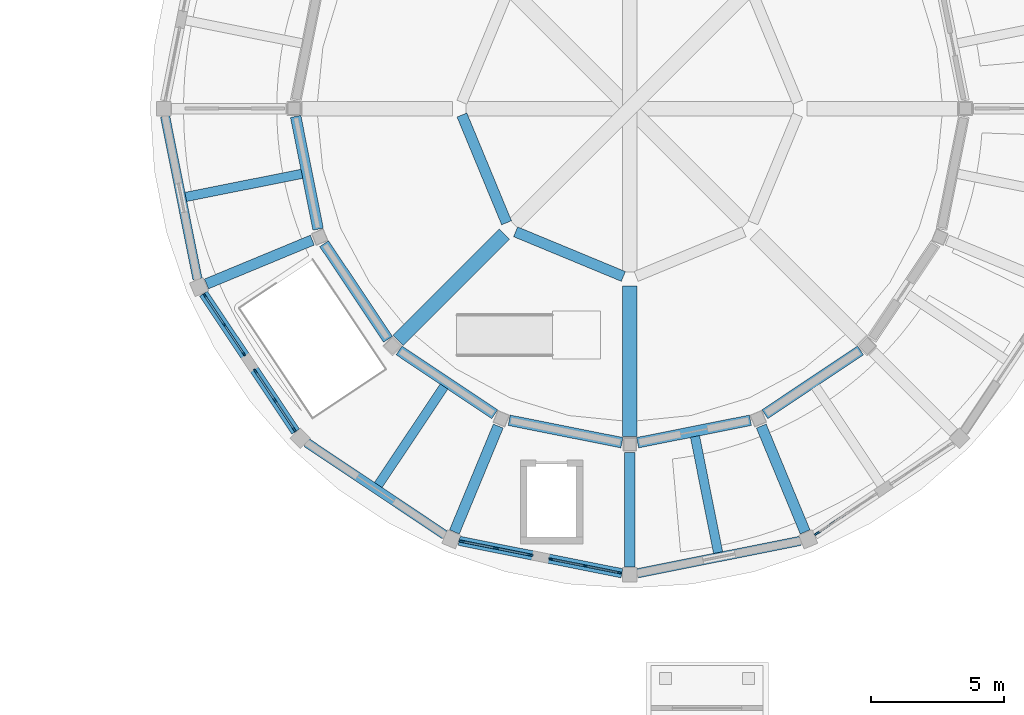
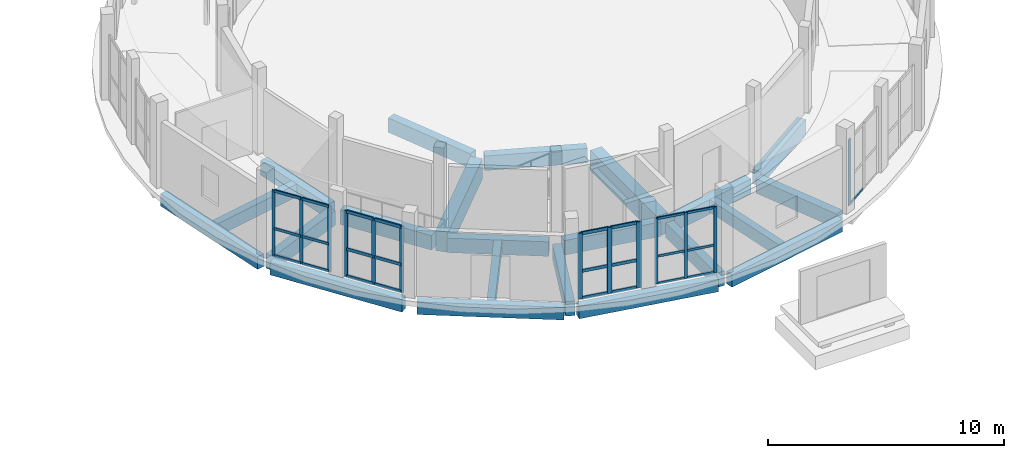
# One storey, part 45 of 92: 38 members, 22 beams, 5 elements without a shape of their own.
"""IFC4 building model written with IfcOpenShell, lengths in metres."""

import ifcopenshell
import ifcopenshell.guid

model = None  # the IFC model being written
_history = None  # IfcOwnerHistory: only IFC2X3 demands one
_inside = {}  # id of a spatial element -> (the spatial element, [elements in it])
_under = {}  # id of a project, library or spatial element -> (it, [spatial elements below it])
_declared = {}  # id of a project -> (the project, [libraries it declares])
_typed = {}  # id of a type object -> (the type object, [elements of that type])
_made_of = {}  # id of a material, layer set ... -> (it, [elements and type objects made of it])


def new_model(schema):
    """Start an empty IFC model of exactly this schema.

    Asked for "IFC4X3", IfcOpenShell would pick the latest addendum, in which some entities
    have other attributes; the version numbers below select the first issue.
    IFC2X3 requires an IfcOwnerHistory on every rooted entity: one is made here for all.
    """
    global model, _history
    if schema == "IFC4X3":
        model = ifcopenshell.file(schema_version=(4, 3, 0, 0))
    else:
        model = ifcopenshell.file(schema=schema)
    _inside.clear()
    _under.clear()
    _declared.clear()
    _typed.clear()
    _made_of.clear()
    _history = None
    if model.schema == "IFC2X3":
        org = make("IfcOrganization", Name="unknown")
        user = make(
            "IfcPersonAndOrganization",
            ThePerson=make("IfcPerson", FamilyName="unknown"),
            TheOrganization=org,
        )
        app = make(
            "IfcApplication",
            ApplicationDeveloper=org,
            Version="unknown",
            ApplicationFullName="unknown",
            ApplicationIdentifier="unknown",
        )
        _history = make(
            "IfcOwnerHistory",
            OwningUser=user,
            OwningApplication=app,
            ChangeAction="ADDED",
            CreationDate=0,
        )
    return model


def make(cls, **values):
    """One entity of the class cls with the attributes given. An attribute that is None is left unset."""
    return model.create_entity(
        cls, **{name: value for name, value in values.items() if value is not None}
    )


def rooted(cls, **values):
    """An entity with a GlobalId (a new one), such as an element, a storey or a relation."""
    return make(cls, GlobalId=ifcopenshell.guid.new(), OwnerHistory=_history, **values)


def si_unit(unit_type, name, prefix=None):
    """IfcSIUnit, for example si_unit("LENGTHUNIT", "METRE", prefix="MILLI")."""
    return make("IfcSIUnit", UnitType=unit_type, Prefix=prefix, Name=name)


def assignment(units):
    """IfcUnitAssignment: the units of a project."""
    return None if units is None else make("IfcUnitAssignment", Units=units)


def point(xyz):
    """IfcCartesianPoint."""
    return None if xyz is None else make("IfcCartesianPoint", Coordinates=xyz)


def direction(xyz):
    """IfcDirection."""
    return None if xyz is None else make("IfcDirection", DirectionRatios=xyz)


def frame(location, z_axis=None, x_axis=None):
    """IfcAxis2Placement3D, a coordinate frame: its origin and axes. An axis left out is left unset."""
    return make(
        "IfcAxis2Placement3D",
        Location=point(location),
        Axis=direction(z_axis),
        RefDirection=direction(x_axis),
    )


def frame_2d(location, x_axis=None):
    """IfcAxis2Placement2D, a coordinate frame in the plane: its origin and x axis."""
    return make(
        "IfcAxis2Placement2D", Location=point(location), RefDirection=direction(x_axis)
    )


def origin():
    """The frame at (0, 0, 0) with its axes left unset."""
    return frame((0.0, 0.0, 0.0))


def origin_2d():
    """The frame at (0, 0) in the plane with its x axis left unset."""
    return frame_2d((0.0, 0.0))


def place(relative_to, where):
    """IfcLocalPlacement: puts the frame where relative to a parent placement (None: the world)."""
    return make(
        "IfcLocalPlacement", PlacementRelTo=relative_to, RelativePlacement=where
    )


def context(
    kind, dimensions, precision=None, world=None, true_north=None, identifier=None
):
    """IfcGeometricRepresentationContext, for example the 3D "Model" context."""
    return make(
        "IfcGeometricRepresentationContext",
        ContextIdentifier=identifier,
        ContextType=kind,
        CoordinateSpaceDimension=dimensions,
        Precision=precision,
        WorldCoordinateSystem=world,
        TrueNorth=true_north,
    )


def subcontext(parent, identifier, kind, view, scale=None):
    """IfcGeometricRepresentationSubContext, for example "Body" below "Model"."""
    return make(
        "IfcGeometricRepresentationSubContext",
        ContextIdentifier=identifier,
        ContextType=kind,
        ParentContext=parent,
        TargetScale=scale,
        TargetView=view,
    )


def project(units=None, contexts=None):
    """IfcProject with its units and contexts."""
    return rooted(
        "IfcProject",
        Name="project",
        RepresentationContexts=contexts,
        UnitsInContext=assignment(units),
    )


def spatial(cls, under=None, at=None, **own):
    """A site, building, storey or space (cls), placed at a placement, below another one or the project."""
    s = rooted(cls, ObjectPlacement=at, **own)
    if under is not None:
        _under.setdefault(under.id(), (under, []))[1].append(s)
    return s


def profile(cls, at=None, kind="AREA", **sizes):
    """A parametric profile (cls). Its sizes go by their IFC names, for example OverallWidth=200.0."""
    return make(cls, ProfileType=kind, Position=at, **sizes)


def rectangle(**sizes):
    """IfcRectangleProfileDef."""
    return profile("IfcRectangleProfileDef", **sizes)


def extrude(swept, where, along, depth):
    """IfcExtrudedAreaSolid: the profile swept, set in the frame where, extruded along a direction by depth."""
    return make(
        "IfcExtrudedAreaSolid",
        SweptArea=swept,
        Position=where,
        ExtrudedDirection=direction(along),
        Depth=depth,
    )


def shape(context_of_items, identifier, shape_type, items):
    """IfcShapeRepresentation: the items that make up one representation, for example the "Body"."""
    return make(
        "IfcShapeRepresentation",
        ContextOfItems=context_of_items,
        RepresentationIdentifier=identifier,
        RepresentationType=shape_type,
        Items=items,
    )


def material(Name=None, Category=None):
    """IfcMaterial."""
    return make("IfcMaterial", Name=Name, Category=Category)


def layer(
    of_material, thickness, ventilated=None, Name=None, Category=None, Priority=None
):
    """IfcMaterialLayer: one layer of a wall or slab, of a material (None: an air gap)."""
    return make(
        "IfcMaterialLayer",
        Material=of_material,
        LayerThickness=thickness,
        IsVentilated=ventilated,
        Name=Name,
        Category=Category,
        Priority=Priority,
    )


def layer_set(layers, Name=None):
    """IfcMaterialLayerSet."""
    return make("IfcMaterialLayerSet", MaterialLayers=layers, LayerSetName=Name)


def material_profile(
    of_material, cross_section, Name=None, Category=None, Priority=None
):
    """IfcMaterialProfile: a cross section and its material."""
    return make(
        "IfcMaterialProfile",
        Name=Name,
        Material=of_material,
        Profile=cross_section,
        Priority=Priority,
        Category=Category,
    )


def profile_set(profiles, Name=None, composite=None):
    """IfcMaterialProfileSet."""
    return make(
        "IfcMaterialProfileSet",
        Name=Name,
        MaterialProfiles=profiles,
        CompositeProfile=composite,
    )


def made_of(thing, what):
    """Note that an element or type object is made of a material, layer set ...; save() writes the relation."""
    if what is not None:
        _made_of.setdefault(what.id(), (what, []))[1].append(thing)
    return thing


def type_object(cls, material=None, **own):
    """A type object (cls), such as IfcWallType, which elements share."""
    return made_of(rooted(cls, **own), material)


def element(
    cls,
    number,
    at=None,
    inside=None,
    cuts=None,
    type_object=None,
    material=None,
    context=None,
    identifier="Body",
    shape_type=None,
    held_by="IfcProductDefinitionShape",
    body=None,
    shapes=None,
    **own,
):
    """One element of the class cls, such as IfcWall. Its Tag is "e" and its number.

    at: its placement. inside: the storey or other place that contains it. cuts: it is an
    opening in that element (IfcRelVoidsElement). A single representation is given by context,
    identifier, shape_type and body (its items); several are given by shapes. held_by: the class
    of the entity that holds the representations. save() writes the other relations.
    """
    e = rooted(cls, Tag="e%d" % number, ObjectPlacement=at, **own)
    if body is not None:
        shapes = [shape(context, identifier, shape_type, body)]
    if shapes is not None:
        e.Representation = make(held_by, Representations=shapes)
    if inside is not None:
        _inside.setdefault(inside.id(), (inside, []))[1].append(e)
    if cuts is not None:
        rooted(
            "IfcRelVoidsElement", RelatingBuildingElement=cuts, RelatedOpeningElement=e
        )
    if type_object is not None:
        _typed.setdefault(type_object.id(), (type_object, []))[1].append(e)
    return made_of(e, material)


def aggregate(whole, parts):
    """IfcRelAggregates: a whole, such as a stair, and the parts it consists of."""
    return rooted("IfcRelAggregates", RelatingObject=whole, RelatedObjects=parts)


def save(model, path):
    """Write the relations noted so far, then the file.

    IfcRelAggregates (storeys below a building ...), IfcRelContainedInSpatialStructure (elements
    in a storey), IfcRelDefinesByType, IfcRelAssociatesMaterial and IfcRelDeclares: one each for
    every whole, place, type object, material and project.
    """
    for whole, parts in _under.values():
        aggregate(whole, parts)
    for where, things in _inside.values():
        rooted(
            "IfcRelContainedInSpatialStructure",
            RelatedElements=things,
            RelatingStructure=where,
        )
    for kind, things in _typed.values():
        rooted("IfcRelDefinesByType", RelatedObjects=things, RelatingType=kind)
    for what, things in _made_of.values():
        rooted("IfcRelAssociatesMaterial", RelatedObjects=things, RelatingMaterial=what)
    for by, libraries in _declared.values():
        rooted("IfcRelDeclares", RelatingContext=by, RelatedDefinitions=libraries)
    model.write(path)


model = new_model("IFC4")

# Units and contexts
model_context = context("Model", 3, precision=1e-05, world=origin(), true_north=direction((0.0, 1.0)))
body_context = subcontext(model_context, "Body", "Model", "MODEL_VIEW")
ifc_project = project(units=[si_unit("LENGTHUNIT", "METRE"), si_unit("AREAUNIT", "SQUARE_METRE"), si_unit("VOLUMEUNIT", "CUBIC_METRE"), si_unit("PLANEANGLEUNIT", "RADIAN"), si_unit("MASSUNIT", "GRAM", prefix="KILO")], contexts=[model_context])

# Site, building, storey
site_placement = place(None, origin())
site = spatial("IfcSite", under=ifc_project, at=site_placement, CompositionType="ELEMENT")
building_placement = place(site_placement, origin())
building = spatial("IfcBuilding", under=site, at=building_placement, Name="Caldaven Crescent School", CompositionType="ELEMENT")
storey_placement = place(building_placement, origin())
storey = spatial("IfcBuildingStorey", under=building, at=storey_placement, Name="L00", CompositionType="ELEMENT", Elevation=0.0)

# Beams
ifc_material_1 = material(Name="Concrete C30/37", Category="concrete")
ifc_material_profile_1 = material_profile(ifc_material_1, rectangle(XDim=0.35009765625, YDim=0.64990234375, at=origin_2d()), Name="RC 350x650")
ifc_profile_set_1 = profile_set([ifc_material_profile_1], Name="Concrete C30/37")
beam_type_1 = type_object("IfcBeamType", Name="BM-RC35", PredefinedType="BEAM", material=ifc_profile_set_1)
beam_1_placement = place(storey_placement, frame((140.193115234375, 96.052001953125, -0.5849609375), z_axis=(-0.980780813205, -0.195112778797, 0.0), x_axis=(0.195112778797, -0.980780813205, 0.0)))
element("IfcBeam", 1, at=beam_1_placement, inside=storey, type_object=beam_type_1, Name="JS-V1-L00-0050", PredefinedType="BEAM", context=body_context, shape_type="SweptSolid", body=[
    extrude(rectangle(XDim=0.35009765625, YDim=0.64990234375, at=origin_2d()), origin(), (0.0, 0.0, 1.0), 4.44580078125),
])
beam_2_placement = place(storey_placement, frame((145.52880859375, 88.06689453125, -0.5849609375), z_axis=(-0.55554893791, -0.831483840845, 0.0), x_axis=(0.831483840845, -0.55554893791, 0.0)))
element("IfcBeam", 2, at=beam_2_placement, inside=storey, type_object=beam_type_1, Name="JS-V1-L00-0058", PredefinedType="BEAM", context=body_context, shape_type="SweptSolid", body=[
    extrude(rectangle(XDim=0.35009765625, YDim=0.64990234375, at=origin_2d()), origin(), (0.0, 0.0, 1.0), 4.446044921875),
])
beam_3_placement = place(storey_placement, frame((154.947998046875, 86.193115234375, -0.5849609375), z_axis=(0.195112778797, -0.980780813205, 0.0), x_axis=(0.980780813205, 0.195112778797, 0.0)))
element("IfcBeam", 3, at=beam_3_placement, inside=storey, type_object=beam_type_1, Name="JS-V1-L00-0067", PredefinedType="BEAM", context=body_context, shape_type="SweptSolid", body=[
    extrude(rectangle(XDim=0.35009765625, YDim=0.64990234375, at=origin_2d()), origin(), (0.0, 0.0, 1.0), 4.44580078125),
])
ifc_material_2 = material(Name="Concrete C35/45", Category="concrete")
ifc_material_profile_2 = material_profile(ifc_material_2, rectangle(XDim=0.39990234375, YDim=0.75, at=origin_2d()), Name="RC 400x750")
ifc_profile_set_2 = profile_set([ifc_material_profile_2], Name="Concrete C35/45")
beam_type_2 = type_object("IfcBeamType", Name="BM-RC40", PredefinedType="BEAM", material=ifc_profile_set_2)
beam_4_placement = place(storey_placement, frame((146.199462890625, 98.259765625, -0.635009765625), z_axis=(0.38269817282, -0.923873426677, 0.0), x_axis=(0.923873426677, 0.38269817282, 0.0)))
element("IfcBeam", 4, at=beam_4_placement, inside=storey, type_object=beam_type_2, Name="BM-V1-L00-0045", PredefinedType="BEAM", context=body_context, shape_type="SweptSolid", body=[
    extrude(rectangle(XDim=0.39990234375, YDim=0.75, at=origin_2d()), origin(), (0.0, 0.0, 1.0), 4.378173828125),
])
beam_5_placement = place(storey_placement, frame((139.95849609375, 98.205810546875, -0.635009765625), z_axis=(0.1950826802, -0.980786800424, 0.0), x_axis=(0.980786800424, 0.1950826802, 0.0)))
element("IfcBeam", 5, at=beam_5_placement, inside=storey, type_object=beam_type_2, Name="BM-V1-L00-0048", PredefinedType="BEAM", context=body_context, shape_type="SweptSolid", body=[
    extrude(rectangle(XDim=0.39990234375, YDim=0.75, at=origin_2d()), origin(), (0.0, 0.0, 1.0), 4.31640625),
])
beam_6_placement = place(storey_placement, frame((140.58203125, 93.5634765625, -0.635009765625), z_axis=(-0.923861125887, -0.382727866864, 0.0), x_axis=(0.382727866864, -0.923861125887, 0.0)))
element("IfcBeam", 6, at=beam_6_placement, inside=storey, type_object=beam_type_2, Name="BM-V1-L00-0051", PredefinedType="BEAM", context=body_context, shape_type="SweptSolid", body=[
    extrude(rectangle(XDim=0.39990234375, YDim=0.75, at=origin_2d()), origin(), (0.0, 0.0, 1.0), 4.300048828125),
])
beam_7_placement = place(storey_placement, frame((141.02587890625, 93.4287109375, -0.635009765625), z_axis=(0.555561396292, -0.831475516747, 0.0), x_axis=(0.831475516747, 0.555561396292, 0.0)))
element("IfcBeam", 7, at=beam_7_placement, inside=storey, type_object=beam_type_2, Name="BM-V1-L00-0052", PredefinedType="BEAM", context=body_context, shape_type="SweptSolid", body=[
    extrude(rectangle(XDim=0.39990234375, YDim=0.75, at=origin_2d()), origin(), (0.0, 0.0, 1.0), 4.316162109375),
])
beam_8_placement = place(storey_placement, frame((148.21484375, 93.875, -0.635009765625), z_axis=(0.923873426677, -0.38269817282, 0.0), x_axis=(0.38269817282, 0.923873426677, 0.0)))
element("IfcBeam", 8, at=beam_8_placement, inside=storey, type_object=beam_type_2, Name="BM-V1-L00-0054", PredefinedType="BEAM", context=body_context, shape_type="SweptSolid", body=[
    extrude(rectangle(XDim=0.39990234375, YDim=0.75, at=origin_2d()), origin(), (0.0, 0.0, 1.0), 4.378173828125),
])
beam_9_placement = place(storey_placement, frame((143.83984375, 89.423828125, -0.635009765625), z_axis=(0.831475516747, -0.555561396292, 0.0), x_axis=(0.555561396292, 0.831475516747, 0.0)))
element("IfcBeam", 9, at=beam_9_placement, inside=storey, type_object=beam_type_2, Name="BM-V1-L00-0056", PredefinedType="BEAM", context=body_context, shape_type="SweptSolid", body=[
    extrude(rectangle(XDim=0.39990234375, YDim=0.75, at=origin_2d()), origin(), (0.0, 0.0, 1.0), 4.316162109375),
])
beam_10_placement = place(storey_placement, frame((147.5634765625, 86.58203125, -0.635009765625), z_axis=(-0.382727866864, -0.923861125887, 0.0), x_axis=(0.923861125887, -0.382727866864, 0.0)))
element("IfcBeam", 10, at=beam_10_placement, inside=storey, type_object=beam_type_2, Name="BM-V1-L00-0059", PredefinedType="BEAM", context=body_context, shape_type="SweptSolid", body=[
    extrude(rectangle(XDim=0.39990234375, YDim=0.75, at=origin_2d()), origin(), (0.0, 0.0, 1.0), 4.300048828125),
])
beam_11_placement = place(storey_placement, frame((147.972412109375, 86.800537109375, -0.635009765625), z_axis=(0.980786800424, -0.1950826802, 0.0), x_axis=(0.1950826802, 0.980786800424, 0.0)))
element("IfcBeam", 11, at=beam_11_placement, inside=storey, type_object=beam_type_2, Name="BM-V1-L00-0060", PredefinedType="BEAM", context=body_context, shape_type="SweptSolid", body=[
    extrude(rectangle(XDim=0.39990234375, YDim=0.75, at=origin_2d()), origin(), (0.0, 0.0, 1.0), 4.31640625),
])
beam_12_placement = place(storey_placement, frame((152.5, 85.60009765625, -0.635009765625), z_axis=(0.0, -1.0, 0.0), x_axis=(1.0, 0.0, 0.0)))
element("IfcBeam", 12, at=beam_12_placement, inside=storey, type_object=beam_type_2, Name="BM-V1-L00-0064", PredefinedType="BEAM", context=body_context, shape_type="SweptSolid", body=[
    extrude(rectangle(XDim=0.39990234375, YDim=0.75, at=origin_2d()), origin(), (0.0, 0.0, 1.0), 4.300048828125),
])
beam_13_placement = place(storey_placement, frame((152.794189453125, 85.95849609375, -0.635009765625), z_axis=(0.980786800424, 0.1950826802, 0.0), x_axis=(-0.1950826802, 0.980786800424, 0.0)))
element("IfcBeam", 13, at=beam_13_placement, inside=storey, type_object=beam_type_2, Name="BM-V1-L00-0065", PredefinedType="BEAM", context=body_context, shape_type="SweptSolid", body=[
    extrude(rectangle(XDim=0.39990234375, YDim=0.75, at=origin_2d()), origin(), (0.0, 0.0, 1.0), 4.31640625),
])
beam_14_placement = place(storey_placement, frame((157.4365234375, 86.58203125, -0.635009765625), z_axis=(0.382727866864, -0.923861125887, 0.0), x_axis=(0.923861125887, 0.382727866864, 0.0)))
element("IfcBeam", 14, at=beam_14_placement, inside=storey, type_object=beam_type_2, Name="BM-V1-L00-0068", PredefinedType="BEAM", context=body_context, shape_type="SweptSolid", body=[
    extrude(rectangle(XDim=0.39990234375, YDim=0.75, at=origin_2d()), origin(), (0.0, 0.0, 1.0), 4.300048828125),
])
beam_15_placement = place(storey_placement, frame((157.5712890625, 87.02587890625, -0.635009765625), z_axis=(0.831475516747, 0.555561396292, 0.0), x_axis=(-0.555561396292, 0.831475516747, 0.0)))
element("IfcBeam", 15, at=beam_15_placement, inside=storey, type_object=beam_type_2, Name="BM-V1-L00-0069", PredefinedType="BEAM", context=body_context, shape_type="SweptSolid", body=[
    extrude(rectangle(XDim=0.39990234375, YDim=0.75, at=origin_2d()), origin(), (0.0, 0.0, 1.0), 4.316162109375),
])
ifc_material_profile_3 = material_profile(ifc_material_2, rectangle(XDim=0.550048828125, YDim=1.050048828125, at=origin_2d()), Name="RC 550x1050")
ifc_profile_set_3 = profile_set([ifc_material_profile_3], Name="Concrete C35/45")
beam_type_3 = type_object("IfcBeamType", Name="BM-RC55", PredefinedType="BEAM", material=ifc_profile_set_3)
beam_16_placement = place(storey_placement, frame((147.790771484375, 93.790771484375, -0.784912109375), z_axis=(-0.707106781187, -0.707106781187, 0.0), x_axis=(0.707106781187, -0.707106781187, 0.0)))
element("IfcBeam", 16, at=beam_16_placement, inside=storey, type_object=beam_type_3, Name="BM-V1-L00-0055", PredefinedType="BEAM", context=body_context, shape_type="SweptSolid", body=[
    extrude(rectangle(XDim=0.550048828125, YDim=1.050048828125, at=origin_2d()), origin(), (0.0, 0.0, 1.0), 5.640380859375),
])
beam_17_placement = place(storey_placement, frame((152.5, 91.840087890625, -0.784912109375), z_axis=(0.0, -1.0, 0.0), x_axis=(1.0, 0.0, 0.0)))
element("IfcBeam", 17, at=beam_17_placement, inside=storey, type_object=beam_type_3, Name="BM-V1-L00-0063", PredefinedType="BEAM", context=body_context, shape_type="SweptSolid", body=[
    extrude(rectangle(XDim=0.550048828125, YDim=1.050048828125, at=origin_2d()), origin(), (0.0, 0.0, 1.0), 5.64013671875),
])

# Curtain wall, members
ifc_material_3 = material(Name="Anodised aluminium AA 6063-T6 and low-E double glazing", Category="aluminium")
ifc_layer_1 = layer(ifc_material_3, 0.18994140625)
ifc_layer_set_1 = layer_set([ifc_layer_1], Name="Anodised aluminium AA 6063-T6 and low-E double glazing")
curtain_wall_type_1 = type_object("IfcCurtainWallType", Name="CW-SYS2", PredefinedType="NOTDEFINED", material=ifc_layer_set_1)
curtain_wall_1_placement = place(storey_placement, origin())
curtain_wall_1 = element("IfcCurtainWall", 18, at=curtain_wall_1_placement, inside=storey, type_object=curtain_wall_type_1, Name="CW-L00-009", PredefinedType="NOTDEFINED")
ifc_material_4 = material(Name="Anodised aluminium AA 6063-T6", Category="aluminium")
ifc_material_profile_4 = material_profile(ifc_material_4, rectangle(XDim=0.06005859375, YDim=0.14990234375, at=origin_2d()), Name="CWM 60x150")
ifc_profile_set_4 = profile_set([ifc_material_profile_4], Name="Anodised aluminium AA 6063-T6")
member_type_1 = type_object("IfcMemberType", Name="CWM-T1", PredefinedType="MULLION", material=ifc_profile_set_4)
member_1_placement = place(storey_placement, frame((136.548828125, 91.478759765625, 0.0), z_axis=(0.0, 0.0, 1.0), x_axis=(0.83147022235, 0.555569320019, 0.0)))
member_1 = element("IfcMember", 19, at=member_1_placement, type_object=member_type_1, Name="CW2 mullion 1", PredefinedType="MULLION", context=body_context, shape_type="SweptSolid", body=[
    extrude(rectangle(XDim=0.06005859375, YDim=0.14990234375, at=origin_2d()), origin(), (0.0, 0.0, 1.0), 3.39990234375),
])
member_2_placement = place(storey_placement, frame((137.280517578125, 90.3837890625, 0.0), z_axis=(0.0, 0.0, 1.0), x_axis=(0.83147022235, 0.555569320019, 0.0)))
member_2 = element("IfcMember", 20, at=member_2_placement, type_object=member_type_1, Name="CW2 mullion 2", PredefinedType="MULLION", context=body_context, shape_type="SweptSolid", body=[
    extrude(rectangle(XDim=0.06005859375, YDim=0.14990234375, at=origin_2d()), origin(), (0.0, 0.0, 1.0), 3.39990234375),
])
member_3_placement = place(storey_placement, frame((138.01220703125, 89.28857421875, 0.0), z_axis=(0.0, 0.0, 1.0), x_axis=(0.83147022235, 0.555569320019, 0.0)))
member_3 = element("IfcMember", 21, at=member_3_placement, type_object=member_type_1, Name="CW2 mullion 3", PredefinedType="MULLION", context=body_context, shape_type="SweptSolid", body=[
    extrude(rectangle(XDim=0.06005859375, YDim=0.14990234375, at=origin_2d()), origin(), (0.0, 0.0, 1.0), 3.39990234375),
])

ifc_layer_2 = layer(ifc_material_3, 0.169921875)
ifc_layer_set_2 = layer_set([ifc_layer_2], Name="Anodised aluminium AA 6063-T6 and low-E double glazing")
curtain_wall_type_2 = type_object("IfcCurtainWallType", Name="CW-SYS1", PredefinedType="NOTDEFINED", material=ifc_layer_set_2)
curtain_wall_2_placement = place(storey_placement, origin())
curtain_wall_2 = element("IfcCurtainWall", 22, at=curtain_wall_2_placement, inside=storey, type_object=curtain_wall_type_2, Name="CW-L00-012", PredefinedType="NOTDEFINED")
member_4_placement = place(storey_placement, frame((149.533935546875, 81.590087890625, 0.0), z_axis=(0.0, 0.0, 1.0), x_axis=(0.195090276825, 0.980785289392, 0.0)))
member_4 = element("IfcMember", 23, at=member_4_placement, type_object=member_type_1, Name="CW1 mullion 1", PredefinedType="MULLION", context=body_context, shape_type="SweptSolid", body=[
    extrude(rectangle(XDim=0.06005859375, YDim=0.14990234375, at=origin_2d()), origin(), (0.0, 0.0, 1.0), 3.39990234375),
])
member_5_placement = place(storey_placement, frame((150.82568359375, 81.3330078125, 0.0), z_axis=(0.0, 0.0, 1.0), x_axis=(0.195090276825, 0.980785289392, 0.0)))
member_5 = element("IfcMember", 24, at=member_5_placement, type_object=member_type_1, Name="CW1 mullion 2", PredefinedType="MULLION", context=body_context, shape_type="SweptSolid", body=[
    extrude(rectangle(XDim=0.06005859375, YDim=0.14990234375, at=origin_2d()), origin(), (0.0, 0.0, 1.0), 3.39990234375),
])
member_6_placement = place(storey_placement, frame((152.117431640625, 81.076171875, 0.0), z_axis=(0.0, 0.0, 1.0), x_axis=(0.195090276825, 0.980785289392, 0.0)))
member_6 = element("IfcMember", 25, at=member_6_placement, type_object=member_type_1, Name="CW1 mullion 3", PredefinedType="MULLION", context=body_context, shape_type="SweptSolid", body=[
    extrude(rectangle(XDim=0.06005859375, YDim=0.14990234375, at=origin_2d()), origin(), (0.0, 0.0, 1.0), 3.39990234375),
])

ifc_layer_3 = layer(ifc_material_3, 0.2099609375)
ifc_layer_set_3 = layer_set([ifc_layer_3], Name="Anodised aluminium AA 6063-T6 and low-E double glazing")
curtain_wall_type_3 = type_object("IfcCurtainWallType", Name="CW-SYS3", PredefinedType="NOTDEFINED", material=ifc_layer_set_3)
curtain_wall_3_placement = place(storey_placement, origin())
curtain_wall_3 = element("IfcCurtainWall", 26, at=curtain_wall_3_placement, inside=storey, type_object=curtain_wall_type_3, Name="CW-L00-010", PredefinedType="NOTDEFINED")
ifc_material_profile_5 = material_profile(ifc_material_4, rectangle(XDim=0.06494140625, YDim=0.179931640625, at=origin_2d()), Name="CWM 65x180")
ifc_profile_set_5 = profile_set([ifc_material_profile_5], Name="Anodised aluminium AA 6063-T6")
member_type_2 = type_object("IfcMemberType", Name="CWM-T2", PredefinedType="MULLION", material=ifc_profile_set_5)
member_7_placement = place(storey_placement, frame((138.447021484375, 88.637939453125, 0.0), z_axis=(0.0, 0.0, 1.0), x_axis=(0.831468507711, 0.555571886154, 0.0)))
member_7 = element("IfcMember", 27, at=member_7_placement, type_object=member_type_2, Name="CW3 mullion 1", PredefinedType="MULLION", context=body_context, shape_type="SweptSolid", body=[
    extrude(rectangle(XDim=0.06494140625, YDim=0.179931640625, at=origin_2d()), origin(), (0.0, 0.0, 1.0), 3.39990234375),
])
member_8_placement = place(storey_placement, frame((139.17724609375, 87.544921875, 0.0), z_axis=(0.0, 0.0, 1.0), x_axis=(0.831468507711, 0.555571886154, 0.0)))
member_8 = element("IfcMember", 28, at=member_8_placement, type_object=member_type_2, Name="CW3 mullion 2", PredefinedType="MULLION", context=body_context, shape_type="SweptSolid", body=[
    extrude(rectangle(XDim=0.06494140625, YDim=0.179931640625, at=origin_2d()), origin(), (0.0, 0.0, 1.0), 3.39990234375),
])
member_9_placement = place(storey_placement, frame((139.907470703125, 86.451904296875, 0.0), z_axis=(0.0, 0.0, 1.0), x_axis=(0.831468507711, 0.555571886154, 0.0)))
member_9 = element("IfcMember", 29, at=member_9_placement, type_object=member_type_2, Name="CW3 mullion 3", PredefinedType="MULLION", context=body_context, shape_type="SweptSolid", body=[
    extrude(rectangle(XDim=0.06494140625, YDim=0.179931640625, at=origin_2d()), origin(), (0.0, 0.0, 1.0), 3.39990234375),
])

# Curtain wall, member
curtain_wall_4_placement = place(storey_placement, origin())
curtain_wall_4 = element("IfcCurtainWall", 30, at=curtain_wall_4_placement, inside=storey, type_object=curtain_wall_type_1, Name="CW-L00-013", PredefinedType="NOTDEFINED")
member_10_placement = place(storey_placement, frame((159.523193359375, 82.550048828125, 0.0), z_axis=(0.0, 0.0, 1.0), x_axis=(-0.555569320019, 0.83147022235, 0.0)))
member_10 = element("IfcMember", 31, at=member_10_placement, type_object=member_type_2, Name="CW2 mullion 1", PredefinedType="MULLION", context=body_context, shape_type="SweptSolid", body=[
    extrude(rectangle(XDim=0.06494140625, YDim=0.179931640625, at=origin_2d()), origin(), (0.0, 0.0, 1.0), 3.39990234375),
])

# Curtain wall, members
ifc_layer_4 = layer(ifc_material_3, 0.22998046875)
ifc_layer_set_4 = layer_set([ifc_layer_4], Name="Anodised aluminium AA 6063-T6 and low-E double glazing")
curtain_wall_type_4 = type_object("IfcCurtainWallType", Name="CW-SYS4", PredefinedType="NOTDEFINED", material=ifc_layer_set_4)
curtain_wall_5_placement = place(storey_placement, origin())
curtain_wall_5 = element("IfcCurtainWall", 32, at=curtain_wall_5_placement, inside=storey, type_object=curtain_wall_type_4, Name="CW-L00-011", PredefinedType="NOTDEFINED")
ifc_material_profile_6 = material_profile(ifc_material_4, rectangle(XDim=0.070068359375, YDim=0.2099609375, at=origin_2d()), Name="CWM 70x210")
ifc_profile_set_6 = profile_set([ifc_material_profile_6], Name="Anodised aluminium AA 6063-T6")
member_type_3 = type_object("IfcMemberType", Name="CWM-T3", PredefinedType="MULLION", material=ifc_profile_set_6)
member_11_placement = place(storey_placement, frame((146.1904296875, 82.255126953125, 0.0), z_axis=(0.0, 0.0, 1.0), x_axis=(0.195090276825, 0.980785289392, 0.0)))
member_11 = element("IfcMember", 33, at=member_11_placement, type_object=member_type_3, Name="CW4 mullion 1", PredefinedType="MULLION", context=body_context, shape_type="SweptSolid", body=[
    extrude(rectangle(XDim=0.070068359375, YDim=0.2099609375, at=origin_2d()), origin(), (0.0, 0.0, 1.0), 3.39990234375),
])
member_12_placement = place(storey_placement, frame((147.477294921875, 81.9990234375, 0.0), z_axis=(0.0, 0.0, 1.0), x_axis=(0.195090276825, 0.980785289392, 0.0)))
member_12 = element("IfcMember", 34, at=member_12_placement, type_object=member_type_3, Name="CW4 mullion 2", PredefinedType="MULLION", context=body_context, shape_type="SweptSolid", body=[
    extrude(rectangle(XDim=0.070068359375, YDim=0.2099609375, at=origin_2d()), origin(), (0.0, 0.0, 1.0), 3.39990234375),
])
member_13_placement = place(storey_placement, frame((148.76416015625, 81.7431640625, 0.0), z_axis=(0.0, 0.0, 1.0), x_axis=(0.195090276825, 0.980785289392, 0.0)))
member_13 = element("IfcMember", 35, at=member_13_placement, type_object=member_type_3, Name="CW4 mullion 3", PredefinedType="MULLION", context=body_context, shape_type="SweptSolid", body=[
    extrude(rectangle(XDim=0.070068359375, YDim=0.2099609375, at=origin_2d()), origin(), (0.0, 0.0, 1.0), 3.39990234375),
])

# Member
ifc_material_profile_7 = material_profile(ifc_material_4, rectangle(XDim=0.06005859375, YDim=0.1201171875, at=origin_2d()), Name="CWT 60x120")
ifc_profile_set_7 = profile_set([ifc_material_profile_7], Name="Anodised aluminium AA 6063-T6")
member_type_4 = type_object("IfcMemberType", Name="CWT-T1", PredefinedType="USERDEFINED", material=ifc_profile_set_7)
member_14_placement = place(storey_placement, frame((149.5634765625, 81.584228515625, 0.030029296875), z_axis=(0.98076697277, -0.195182338145, 0.0), x_axis=(0.195182338145, 0.98076697277, 0.0)))
member_14 = element("IfcMember", 36, at=member_14_placement, type_object=member_type_4, Name="CW1 transom 1.1", ObjectType="TRANSOM", PredefinedType="USERDEFINED", context=body_context, shape_type="SweptSolid", body=[
    extrude(rectangle(XDim=0.06005859375, YDim=0.1201171875, at=origin_2d()), origin(), (0.0, 0.0, 1.0), 1.257080078125),
])

member_15_placement = place(storey_placement, frame((149.5634765625, 81.584228515625, 1.427978515625), z_axis=(0.98076697277, -0.195182338145, 0.0), x_axis=(0.195182338145, 0.98076697277, 0.0)))
member_15 = element("IfcMember", 37, at=member_15_placement, type_object=member_type_4, Name="CW1 transom 1.2", ObjectType="TRANSOM", PredefinedType="USERDEFINED", context=body_context, shape_type="SweptSolid", body=[
    extrude(rectangle(XDim=0.06005859375, YDim=0.1201171875, at=origin_2d()), origin(), (0.0, 0.0, 1.0), 1.257080078125),
])

member_16_placement = place(storey_placement, frame((149.5634765625, 81.584228515625, 3.3701171875), z_axis=(0.98076697277, -0.195182338145, 0.0), x_axis=(0.195182338145, 0.98076697277, 0.0)))
member_16 = element("IfcMember", 38, at=member_16_placement, type_object=member_type_4, Name="CW1 transom 1.3", ObjectType="TRANSOM", PredefinedType="USERDEFINED", context=body_context, shape_type="SweptSolid", body=[
    extrude(rectangle(XDim=0.06005859375, YDim=0.1201171875, at=origin_2d()), origin(), (0.0, 0.0, 1.0), 1.257080078125),
])

member_17_placement = place(storey_placement, frame((150.855224609375, 81.3271484375, 0.030029296875), z_axis=(0.980804133939, -0.194995514945, 0.0), x_axis=(0.194995514945, 0.980804133939, 0.0)))
member_17 = element("IfcMember", 39, at=member_17_placement, type_object=member_type_4, Name="CW1 transom 2.1", ObjectType="TRANSOM", PredefinedType="USERDEFINED", context=body_context, shape_type="SweptSolid", body=[
    extrude(rectangle(XDim=0.06005859375, YDim=0.1201171875, at=origin_2d()), origin(), (0.0, 0.0, 1.0), 1.257080078125),
])

member_18_placement = place(storey_placement, frame((150.855224609375, 81.3271484375, 1.427978515625), z_axis=(0.980804133939, -0.194995514945, 0.0), x_axis=(0.194995514945, 0.980804133939, 0.0)))
member_18 = element("IfcMember", 40, at=member_18_placement, type_object=member_type_4, Name="CW1 transom 2.2", ObjectType="TRANSOM", PredefinedType="USERDEFINED", context=body_context, shape_type="SweptSolid", body=[
    extrude(rectangle(XDim=0.06005859375, YDim=0.1201171875, at=origin_2d()), origin(), (0.0, 0.0, 1.0), 1.257080078125),
])

member_19_placement = place(storey_placement, frame((150.855224609375, 81.3271484375, 3.3701171875), z_axis=(0.980804133939, -0.194995514945, 0.0), x_axis=(0.194995514945, 0.980804133939, 0.0)))
member_19 = element("IfcMember", 41, at=member_19_placement, type_object=member_type_4, Name="CW1 transom 2.3", ObjectType="TRANSOM", PredefinedType="USERDEFINED", context=body_context, shape_type="SweptSolid", body=[
    extrude(rectangle(XDim=0.06005859375, YDim=0.1201171875, at=origin_2d()), origin(), (0.0, 0.0, 1.0), 1.257080078125),
])

aggregate(curtain_wall_2, [member_4, member_5, member_6, member_14, member_15, member_16, member_17, member_18, member_19])

member_20_placement = place(storey_placement, frame((159.55029296875, 82.568115234375, 0.030029296875), z_axis=(0.831448700602, 0.555601528316, 0.0), x_axis=(-0.555601528316, 0.831448700602, 0.0)))
member_20 = element("IfcMember", 42, at=member_20_placement, type_object=member_type_4, Name="CW2 transom 1.1", ObjectType="TRANSOM", PredefinedType="USERDEFINED", context=body_context, shape_type="SweptSolid", body=[
    extrude(rectangle(XDim=0.06005859375, YDim=0.1201171875, at=origin_2d()), origin(), (0.0, 0.0, 1.0), 1.249755859375),
])

aggregate(curtain_wall_4, [member_10, member_20])

ifc_material_profile_8 = material_profile(ifc_material_4, rectangle(XDim=0.06494140625, YDim=0.139892578125, at=origin_2d()), Name="CWT 65x140")
ifc_profile_set_8 = profile_set([ifc_material_profile_8], Name="Anodised aluminium AA 6063-T6")
member_type_5 = type_object("IfcMemberType", Name="CWT-T2", PredefinedType="USERDEFINED", material=ifc_profile_set_8)
member_21_placement = place(storey_placement, frame((136.5654296875, 91.453857421875, 0.032470703125), z_axis=(0.555641023412, -0.831422307315, 0.0), x_axis=(0.831422307315, 0.555641023412, 0.0)))
member_21 = element("IfcMember", 43, at=member_21_placement, type_object=member_type_5, Name="CW2 transom 1.1", ObjectType="TRANSOM", PredefinedType="USERDEFINED", context=body_context, shape_type="SweptSolid", body=[
    extrude(rectangle(XDim=0.06494140625, YDim=0.139892578125, at=origin_2d()), origin(), (0.0, 0.0, 1.0), 1.257080078125),
])

member_22_placement = place(storey_placement, frame((136.5654296875, 91.453857421875, 1.427978515625), z_axis=(0.555641023412, -0.831422307315, 0.0), x_axis=(0.831422307315, 0.555641023412, 0.0)))
member_22 = element("IfcMember", 44, at=member_22_placement, type_object=member_type_5, Name="CW2 transom 1.2", ObjectType="TRANSOM", PredefinedType="USERDEFINED", context=body_context, shape_type="SweptSolid", body=[
    extrude(rectangle(XDim=0.06494140625, YDim=0.139892578125, at=origin_2d()), origin(), (0.0, 0.0, 1.0), 1.257080078125),
])

member_23_placement = place(storey_placement, frame((136.5654296875, 91.453857421875, 3.367431640625), z_axis=(0.555641023412, -0.831422307315, 0.0), x_axis=(0.831422307315, 0.555641023412, 0.0)))
member_23 = element("IfcMember", 45, at=member_23_placement, type_object=member_type_5, Name="CW2 transom 1.3", ObjectType="TRANSOM", PredefinedType="USERDEFINED", context=body_context, shape_type="SweptSolid", body=[
    extrude(rectangle(XDim=0.06494140625, YDim=0.139892578125, at=origin_2d()), origin(), (0.0, 0.0, 1.0), 1.257080078125),
])

member_24_placement = place(storey_placement, frame((137.297119140625, 90.358642578125, 0.032470703125), z_axis=(0.555641023412, -0.831422307315, 0.0), x_axis=(0.831422307315, 0.555641023412, 0.0)))
member_24 = element("IfcMember", 46, at=member_24_placement, type_object=member_type_5, Name="CW2 transom 2.1", ObjectType="TRANSOM", PredefinedType="USERDEFINED", context=body_context, shape_type="SweptSolid", body=[
    extrude(rectangle(XDim=0.06494140625, YDim=0.139892578125, at=origin_2d()), origin(), (0.0, 0.0, 1.0), 1.257080078125),
])

member_25_placement = place(storey_placement, frame((137.297119140625, 90.358642578125, 1.427978515625), z_axis=(0.555641023412, -0.831422307315, 0.0), x_axis=(0.831422307315, 0.555641023412, 0.0)))
member_25 = element("IfcMember", 47, at=member_25_placement, type_object=member_type_5, Name="CW2 transom 2.2", ObjectType="TRANSOM", PredefinedType="USERDEFINED", context=body_context, shape_type="SweptSolid", body=[
    extrude(rectangle(XDim=0.06494140625, YDim=0.139892578125, at=origin_2d()), origin(), (0.0, 0.0, 1.0), 1.257080078125),
])

member_26_placement = place(storey_placement, frame((137.297119140625, 90.358642578125, 3.367431640625), z_axis=(0.555641023412, -0.831422307315, 0.0), x_axis=(0.831422307315, 0.555641023412, 0.0)))
member_26 = element("IfcMember", 48, at=member_26_placement, type_object=member_type_5, Name="CW2 transom 2.3", ObjectType="TRANSOM", PredefinedType="USERDEFINED", context=body_context, shape_type="SweptSolid", body=[
    extrude(rectangle(XDim=0.06494140625, YDim=0.139892578125, at=origin_2d()), origin(), (0.0, 0.0, 1.0), 1.257080078125),
])

aggregate(curtain_wall_1, [member_1, member_2, member_3, member_21, member_22, member_23, member_24, member_25, member_26])

ifc_material_profile_9 = material_profile(ifc_material_4, rectangle(XDim=0.070068359375, YDim=0.159912109375, at=origin_2d()), Name="CWT 70x160")
ifc_profile_set_9 = profile_set([ifc_material_profile_9], Name="Anodised aluminium AA 6063-T6")
member_type_6 = type_object("IfcMemberType", Name="CWT-T3", PredefinedType="USERDEFINED", material=ifc_profile_set_9)
member_27_placement = place(storey_placement, frame((138.465087890625, 88.611083984375, 0.034912109375), z_axis=(0.555466453164, -0.831538946418, 0.0), x_axis=(0.831538946418, 0.555466453164, 0.0)))
member_27 = element("IfcMember", 49, at=member_27_placement, type_object=member_type_6, Name="CW3 transom 1.1", ObjectType="TRANSOM", PredefinedType="USERDEFINED", context=body_context, shape_type="SweptSolid", body=[
    extrude(rectangle(XDim=0.070068359375, YDim=0.159912109375, at=origin_2d()), origin(), (0.0, 0.0, 1.0), 1.24951171875),
])

member_28_placement = place(storey_placement, frame((138.465087890625, 88.611083984375, 1.427978515625), z_axis=(0.555466453164, -0.831538946418, 0.0), x_axis=(0.831538946418, 0.555466453164, 0.0)))
member_28 = element("IfcMember", 50, at=member_28_placement, type_object=member_type_6, Name="CW3 transom 1.2", ObjectType="TRANSOM", PredefinedType="USERDEFINED", context=body_context, shape_type="SweptSolid", body=[
    extrude(rectangle(XDim=0.070068359375, YDim=0.159912109375, at=origin_2d()), origin(), (0.0, 0.0, 1.0), 1.24951171875),
])

member_29_placement = place(storey_placement, frame((138.465087890625, 88.611083984375, 3.364990234375), z_axis=(0.555466453164, -0.831538946418, 0.0), x_axis=(0.831538946418, 0.555466453164, 0.0)))
member_29 = element("IfcMember", 51, at=member_29_placement, type_object=member_type_6, Name="CW3 transom 1.3", ObjectType="TRANSOM", PredefinedType="USERDEFINED", context=body_context, shape_type="SweptSolid", body=[
    extrude(rectangle(XDim=0.070068359375, YDim=0.159912109375, at=origin_2d()), origin(), (0.0, 0.0, 1.0), 1.24951171875),
])

member_30_placement = place(storey_placement, frame((139.1953125, 87.51806640625, 0.034912109375), z_axis=(0.555466453164, -0.831538946418, 0.0), x_axis=(0.831538946418, 0.555466453164, 0.0)))
member_30 = element("IfcMember", 52, at=member_30_placement, type_object=member_type_6, Name="CW3 transom 2.1", ObjectType="TRANSOM", PredefinedType="USERDEFINED", context=body_context, shape_type="SweptSolid", body=[
    extrude(rectangle(XDim=0.070068359375, YDim=0.159912109375, at=origin_2d()), origin(), (0.0, 0.0, 1.0), 1.24951171875),
])

member_31_placement = place(storey_placement, frame((139.1953125, 87.51806640625, 1.427978515625), z_axis=(0.555466453164, -0.831538946418, 0.0), x_axis=(0.831538946418, 0.555466453164, 0.0)))
member_31 = element("IfcMember", 53, at=member_31_placement, type_object=member_type_6, Name="CW3 transom 2.2", ObjectType="TRANSOM", PredefinedType="USERDEFINED", context=body_context, shape_type="SweptSolid", body=[
    extrude(rectangle(XDim=0.070068359375, YDim=0.159912109375, at=origin_2d()), origin(), (0.0, 0.0, 1.0), 1.24951171875),
])

member_32_placement = place(storey_placement, frame((139.1953125, 87.51806640625, 3.364990234375), z_axis=(0.555466453164, -0.831538946418, 0.0), x_axis=(0.831538946418, 0.555466453164, 0.0)))
member_32 = element("IfcMember", 54, at=member_32_placement, type_object=member_type_6, Name="CW3 transom 2.3", ObjectType="TRANSOM", PredefinedType="USERDEFINED", context=body_context, shape_type="SweptSolid", body=[
    extrude(rectangle(XDim=0.070068359375, YDim=0.159912109375, at=origin_2d()), origin(), (0.0, 0.0, 1.0), 1.24951171875),
])

aggregate(curtain_wall_3, [member_7, member_8, member_9, member_27, member_28, member_29, member_30, member_31, member_32])

member_33_placement = place(storey_placement, frame((146.224853515625, 82.248291015625, 0.034912109375), z_axis=(0.98076171885, -0.195208736584, 0.0), x_axis=(0.195208736584, 0.98076171885, 0.0)))
member_33 = element("IfcMember", 55, at=member_33_placement, type_object=member_type_6, Name="CW4 transom 1.1", ObjectType="TRANSOM", PredefinedType="USERDEFINED", context=body_context, shape_type="SweptSolid", body=[
    extrude(rectangle(XDim=0.070068359375, YDim=0.159912109375, at=origin_2d()), origin(), (0.0, 0.0, 1.0), 1.241943359375),
])

member_34_placement = place(storey_placement, frame((146.224853515625, 82.248291015625, 1.427978515625), z_axis=(0.98076171885, -0.195208736584, 0.0), x_axis=(0.195208736584, 0.98076171885, 0.0)))
member_34 = element("IfcMember", 56, at=member_34_placement, type_object=member_type_6, Name="CW4 transom 1.2", ObjectType="TRANSOM", PredefinedType="USERDEFINED", context=body_context, shape_type="SweptSolid", body=[
    extrude(rectangle(XDim=0.070068359375, YDim=0.159912109375, at=origin_2d()), origin(), (0.0, 0.0, 1.0), 1.241943359375),
])

member_35_placement = place(storey_placement, frame((146.224853515625, 82.248291015625, 3.364990234375), z_axis=(0.98076171885, -0.195208736584, 0.0), x_axis=(0.195208736584, 0.98076171885, 0.0)))
member_35 = element("IfcMember", 57, at=member_35_placement, type_object=member_type_6, Name="CW4 transom 1.3", ObjectType="TRANSOM", PredefinedType="USERDEFINED", context=body_context, shape_type="SweptSolid", body=[
    extrude(rectangle(XDim=0.070068359375, YDim=0.159912109375, at=origin_2d()), origin(), (0.0, 0.0, 1.0), 1.241943359375),
])

member_36_placement = place(storey_placement, frame((147.51171875, 81.9921875, 0.034912109375), z_axis=(0.980799338869, -0.195019632022, 0.0), x_axis=(0.195019632022, 0.980799338869, 0.0)))
member_36 = element("IfcMember", 58, at=member_36_placement, type_object=member_type_6, Name="CW4 transom 2.1", ObjectType="TRANSOM", PredefinedType="USERDEFINED", context=body_context, shape_type="SweptSolid", body=[
    extrude(rectangle(XDim=0.070068359375, YDim=0.159912109375, at=origin_2d()), origin(), (0.0, 0.0, 1.0), 1.241943359375),
])

member_37_placement = place(storey_placement, frame((147.51171875, 81.9921875, 1.427978515625), z_axis=(0.980799338869, -0.195019632022, 0.0), x_axis=(0.195019632022, 0.980799338869, 0.0)))
member_37 = element("IfcMember", 59, at=member_37_placement, type_object=member_type_6, Name="CW4 transom 2.2", ObjectType="TRANSOM", PredefinedType="USERDEFINED", context=body_context, shape_type="SweptSolid", body=[
    extrude(rectangle(XDim=0.070068359375, YDim=0.159912109375, at=origin_2d()), origin(), (0.0, 0.0, 1.0), 1.241943359375),
])

member_38_placement = place(storey_placement, frame((147.51171875, 81.9921875, 3.364990234375), z_axis=(0.980799338869, -0.195019632022, 0.0), x_axis=(0.195019632022, 0.980799338869, 0.0)))
member_38 = element("IfcMember", 60, at=member_38_placement, type_object=member_type_6, Name="CW4 transom 2.3", ObjectType="TRANSOM", PredefinedType="USERDEFINED", context=body_context, shape_type="SweptSolid", body=[
    extrude(rectangle(XDim=0.070068359375, YDim=0.159912109375, at=origin_2d()), origin(), (0.0, 0.0, 1.0), 1.241943359375),
])

aggregate(curtain_wall_5, [member_11, member_12, member_13, member_33, member_34, member_35, member_36, member_37, member_38])

# Beams
ifc_material_profile_10 = material_profile(ifc_material_1, rectangle(XDim=0.35009765625, YDim=0.64990234375, at=origin_2d()), Name="RC 350x650")
ifc_profile_set_10 = profile_set([ifc_material_profile_10], Name="Concrete C30/37")
beam_type_4 = type_object("IfcBeamType", Name="SP-RC35", PredefinedType="SPANDREL", material=ifc_profile_set_10)
for number, where, z_axis, x_axis, name in (
    (61, (135.05859375, 98.205810546875, -0.5849609375), (0.195090836929, -0.98078517798, 0.0), (0.98078517798, 0.195090836929, 0.0), "BM-V1-L00-0049"),
    (62, (136.498779296875, 91.5537109375, -0.5849609375), (0.555559250421, -0.831476950535, 0.0), (0.831476950535, 0.555559250421, 0.0), "BM-V1-L00-0053"),
    (63, (140.375, 85.958984375, -0.5849609375), (0.831476950535, -0.555559250421, 0.0), (0.555559250421, 0.831476950535, 0.0), "BM-V1-L00-0057"),
    (64, (146.09716796875, 82.273681640625, -0.5849609375), (0.98078517798, -0.195090836929, 0.0), (0.195090836929, 0.98078517798, 0.0), "BM-V1-L00-0061"),
    (65, (152.794189453125, 81.05859375, -0.5849609375), (0.98078517798, 0.195090836929, 0.0), (-0.195090836929, 0.98078517798, 0.0), "BM-V1-L00-0066"),
):
    element("IfcBeam", number, at=place(storey_placement, frame(where, z_axis=z_axis, x_axis=x_axis)), inside=storey, type_object=beam_type_4, Name=name, PredefinedType="SPANDREL", context=body_context, shape_type="SweptSolid", body=[
        extrude(rectangle(XDim=0.35009765625, YDim=0.64990234375, at=origin_2d()), origin(), (0.0, 0.0, 1.0), 6.228271484375),
    ])

save(model, "model.ifc")
